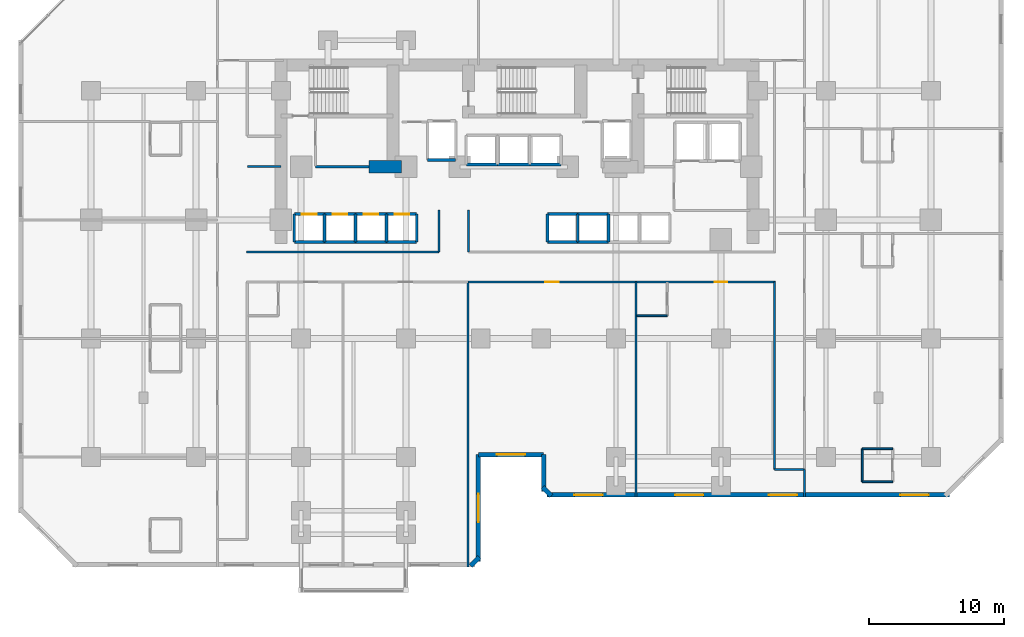
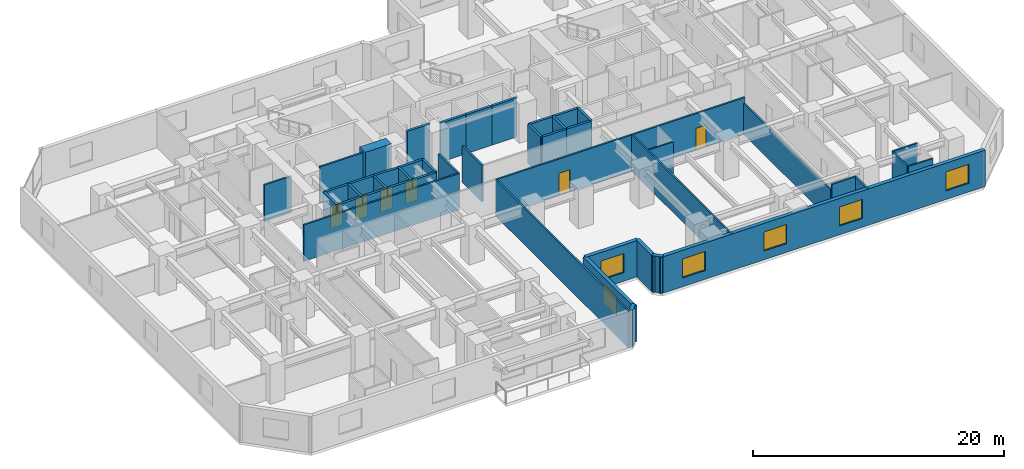
# One storey, part 6 of 11: 46 walls, 6 doors, 6 windows, 12 openings.
"""IFC4 building model written with IfcOpenShell, lengths in metres."""

from ifc_helpers import new_model, si_unit, direction, frame, frame_2d, origin, place, context, subcontext, project, spatial, rectangle, extrude, material, layer, layer_set, type_object, element, fill, save


model = new_model("IFC4")

# Units and contexts
model_context = context("Model", 3, precision=1e-05, world=origin(), true_north=direction((0.0, 1.0)))
body_context = subcontext(model_context, "Body", "Model", "MODEL_VIEW")
ifc_project = project(units=[si_unit("LENGTHUNIT", "METRE"), si_unit("AREAUNIT", "SQUARE_METRE"), si_unit("VOLUMEUNIT", "CUBIC_METRE"), si_unit("PLANEANGLEUNIT", "RADIAN"), si_unit("MASSUNIT", "GRAM", prefix="KILO")], contexts=[model_context])

# Site, building, storey
site_placement = place(None, origin())
site = spatial("IfcSite", under=ifc_project, at=site_placement, CompositionType="ELEMENT")
building_placement = place(site_placement, origin())
building = spatial("IfcBuilding", under=site, at=building_placement, Name="Kestravale Grand Hotel", CompositionType="ELEMENT")
storey_placement = place(building_placement, frame((0.0, 0.0, 29.800048828125)))
storey = spatial("IfcBuildingStorey", under=building, at=storey_placement, Name="L06", CompositionType="ELEMENT", Elevation=29.800048828125)

# Walls
ifc_material_1 = material(Name="Concrete f'c 70 MPa", Category="concrete")
ifc_layer_1 = layer(ifc_material_1, 0.89990234375)
ifc_layer_set_1 = layer_set([ifc_layer_1], Name="EW-CORE-900")
wall_type_1 = type_object("IfcWallType", Name="EW-CORE-900", PredefinedType="SHEAR", material=ifc_layer_set_1)
wall_1_placement = place(storey_placement, frame((28.449951171875, 32.75, 0.0), z_axis=(0.0, 0.0, 1.0), x_axis=(1.0, 0.0, 0.0)))
element("IfcWall", 1, at=wall_1_placement, inside=storey, type_object=wall_type_1, Name="L06 core shear wall S1", PredefinedType="SHEAR", context=body_context, shape_type="SweptSolid", body=[
    extrude(rectangle(XDim=2.400146484375, YDim=0.89990234375, at=frame_2d((1.2001953125, 0.0))), origin(), (0.0, 0.0, 1.0), 3.800048828125),
])
ifc_material_2 = material(Name="Precast concrete f'c 45 MPa", Category="concrete")
ifc_layer_2 = layer(ifc_material_2, 0.340087890625)
ifc_layer_set_2 = layer_set([ifc_layer_2], Name="EW-PREC-340")
wall_type_2 = type_object("IfcWallType", Name="EW-PREC-340", PredefinedType="SOLIDWALL", material=ifc_layer_set_2)
wall_2_placement = place(storey_placement, frame((36.00146484375, 3.091796875, 0.0), z_axis=(0.0, 0.0, 1.0), x_axis=(0.707106781187, 0.707106781187, 0.0)))
element("IfcWall", 2, at=wall_2_placement, inside=storey, type_object=wall_type_2, Name="L06 fluted precast facade wall 2", PredefinedType="SOLIDWALL", context=body_context, shape_type="SweptSolid", body=[
    extrude(rectangle(XDim=0.9287109375, YDim=0.340087890625, at=frame_2d((0.46435546875, 0.0))), origin(), (0.0, 0.0, 1.0), 3.5400390625),
])

# Wall, opening, window
wall_3_placement = place(storey_placement, frame((36.580078125, 3.429931640625, 0.0), z_axis=(0.0, 0.0, 1.0), x_axis=(0.0, 1.0, 0.0)))
wall_3 = element("IfcWall", 3, at=wall_3_placement, inside=storey, type_object=wall_type_2, Name="L06 fluted precast facade wall 3", PredefinedType="SOLIDWALL", context=body_context, shape_type="SweptSolid", body=[
    extrude(rectangle(XDim=7.940185546875, YDim=0.340087890625, at=frame_2d((3.97021484375, 0.0))), origin(), (0.0, 0.0, 1.0), 3.5400390625),
])
opening_1_placement = place(wall_3_placement, frame((2.919921875, 0.0, 0.85009765625)))
opening_1 = element("IfcOpeningElement", 4, at=opening_1_placement, cuts=wall_3, Name="Opening W-GUEST-2100", PredefinedType="OPENING", context=body_context, shape_type="SweptSolid", body=[
    extrude(rectangle(XDim=2.10009765625, YDim=1.85009765625, at=frame_2d((1.050048828125, 0.925048828125))), frame((0.0, 0.179931640625, 0.0), z_axis=(0.0, -1.0, 0.0), x_axis=(1.0, 0.0, 0.0)), (0.0, 0.0, 1.0), 0.360107421875),
])
ifc_material_3 = material(Name="Insulated low-E double glazing in aluminium frame", Category="aluminium")
window_type = type_object("IfcWindowType", Name="W-GUEST-2100", PartitioningType="DOUBLE_PANEL_VERTICAL", PredefinedType="WINDOW", material=ifc_material_3)
window_1_placement = place(opening_1_placement, origin())
window_1 = element("IfcWindow", 5, at=window_1_placement, inside=storey, type_object=window_type, Name="L06 exterior window 3.1", OverallHeight=1.85009765625, OverallWidth=2.10009765625, PartitioningType="SINGLE_PANEL", PredefinedType="WINDOW", context=body_context, shape_type="SweptSolid", body=[
    extrude(rectangle(XDim=2.10009765625, YDim=1.85009765625, at=frame_2d((1.050048828125, 0.925048828125))), frame((0.0, 0.030029296875, 0.0), z_axis=(0.0, -1.0, 0.0), x_axis=(1.0, 0.0, 0.0)), (0.0, 0.0, 1.0), 0.06005859375),
])
fill(opening_1, window_1)

wall_4_placement = place(storey_placement, frame((36.580078125, 11.3701171875, 0.0), z_axis=(0.0, 0.0, 1.0), x_axis=(1.0, 0.0, 0.0)))
wall_4 = element("IfcWall", 6, at=wall_4_placement, inside=storey, type_object=wall_type_2, Name="L06 fluted precast facade wall 4", PredefinedType="SOLIDWALL", context=body_context, shape_type="SweptSolid", body=[
    extrude(rectangle(XDim=4.83984375, YDim=0.340087890625, at=frame_2d((2.419921875, 0.0))), origin(), (0.0, 0.0, 1.0), 3.5400390625),
])
opening_2_placement = place(wall_4_placement, frame((1.3701171875, 0.0, 0.85009765625)))
opening_2 = element("IfcOpeningElement", 7, at=opening_2_placement, cuts=wall_4, Name="Opening W-GUEST-2100", PredefinedType="OPENING", context=body_context, shape_type="SweptSolid", body=[
    extrude(rectangle(XDim=2.10009765625, YDim=1.85009765625, at=frame_2d((1.050048828125, 0.925048828125))), frame((0.0, 0.179931640625, 0.0), z_axis=(0.0, -1.0, 0.0), x_axis=(1.0, 0.0, 0.0)), (0.0, 0.0, 1.0), 0.360107421875),
])
window_2_placement = place(opening_2_placement, origin())
window_2 = element("IfcWindow", 8, at=window_2_placement, inside=storey, type_object=window_type, Name="L06 exterior window 4.1", OverallHeight=1.85009765625, OverallWidth=2.10009765625, PartitioningType="SINGLE_PANEL", PredefinedType="WINDOW", context=body_context, shape_type="SweptSolid", body=[
    extrude(rectangle(XDim=2.10009765625, YDim=1.85009765625, at=frame_2d((1.050048828125, 0.925048828125))), frame((0.0, 0.030029296875, 0.0), z_axis=(0.0, -1.0, 0.0), x_axis=(1.0, 0.0, 0.0)), (0.0, 0.0, 1.0), 0.06005859375),
])
fill(opening_2, window_2)

# Walls
wall_5_placement = place(storey_placement, frame((41.419921875, 11.3701171875, 0.0), z_axis=(0.0, 0.0, 1.0), x_axis=(0.0, -1.0, 0.0)))
element("IfcWall", 9, at=wall_5_placement, inside=storey, type_object=wall_type_2, Name="L06 fluted precast facade wall 5", PredefinedType="SOLIDWALL", context=body_context, shape_type="SweptSolid", body=[
    extrude(rectangle(XDim=2.740234375, YDim=0.340087890625, at=frame_2d((1.3701171875, 0.0))), origin(), (0.0, 0.0, 1.0), 3.5400390625),
])
wall_6_placement = place(storey_placement, frame((41.341796875, 8.948486328125, 0.0), z_axis=(0.0, 0.0, 1.0), x_axis=(0.707238225886, -0.706975312048, 0.0)))
element("IfcWall", 10, at=wall_6_placement, inside=storey, type_object=wall_type_2, Name="L06 fluted precast facade wall 6", PredefinedType="SOLIDWALL", context=body_context, shape_type="SweptSolid", body=[
    extrude(rectangle(XDim=0.9287109375, YDim=0.340087890625, at=frame_2d((0.46435546875, 0.0))), origin(), (0.0, 0.0, 1.0), 3.5400390625),
])

# Wall, openings, windows
wall_7_placement = place(storey_placement, frame((41.679931640625, 8.3701171875, 0.0), z_axis=(0.0, 0.0, 1.0), x_axis=(1.0, 0.0, 0.0)))
wall_7 = element("IfcWall", 11, at=wall_7_placement, inside=storey, type_object=wall_type_2, Name="L06 fluted precast facade wall 7", PredefinedType="SOLIDWALL", context=body_context, shape_type="SweptSolid", body=[
    extrude(rectangle(XDim=29.89013671875, YDim=0.340087890625, at=frame_2d((14.945068359375, 0.0))), origin(), (0.0, 0.0, 1.0), 3.5400390625),
])
opening_3_placement = place(wall_7_placement, frame((2.0361328125, 0.0, 0.85009765625)))
opening_3 = element("IfcOpeningElement", 12, at=opening_3_placement, cuts=wall_7, Name="Opening W-GUEST-2100", PredefinedType="OPENING", context=body_context, shape_type="SweptSolid", body=[
    extrude(rectangle(XDim=2.10009765625, YDim=1.85009765625, at=frame_2d((1.050048828125, 0.925048828125))), frame((0.0, 0.179931640625, 0.0), z_axis=(0.0, -1.0, 0.0), x_axis=(1.0, 0.0, 0.0)), (0.0, 0.0, 1.0), 0.360107421875),
])
opening_4_placement = place(wall_7_placement, frame((9.5087890625, 0.0, 0.85009765625)))
opening_4 = element("IfcOpeningElement", 13, at=opening_4_placement, cuts=wall_7, Name="Opening W-GUEST-2100", PredefinedType="OPENING", context=body_context, shape_type="SweptSolid", body=[
    extrude(rectangle(XDim=2.10009765625, YDim=1.85009765625, at=frame_2d((1.050048828125, 0.925048828125))), frame((0.0, 0.179931640625, 0.0), z_axis=(0.0, -1.0, 0.0), x_axis=(1.0, 0.0, 0.0)), (0.0, 0.0, 1.0), 0.360107421875),
])
opening_5_placement = place(wall_7_placement, frame((16.481201171875, 0.0, 0.85009765625)))
opening_5 = element("IfcOpeningElement", 14, at=opening_5_placement, cuts=wall_7, Name="Opening W-GUEST-2100", PredefinedType="OPENING", context=body_context, shape_type="SweptSolid", body=[
    extrude(rectangle(XDim=2.10009765625, YDim=1.85009765625, at=frame_2d((1.050048828125, 0.925048828125))), frame((0.0, 0.179931640625, 0.0), z_axis=(0.0, -1.0, 0.0), x_axis=(1.0, 0.0, 0.0)), (0.0, 0.0, 1.0), 0.360107421875),
])
opening_6_placement = place(wall_7_placement, frame((26.253662109375, 0.0, 0.85009765625)))
opening_6 = element("IfcOpeningElement", 15, at=opening_6_placement, cuts=wall_7, Name="Opening W-GUEST-2100", PredefinedType="OPENING", context=body_context, shape_type="SweptSolid", body=[
    extrude(rectangle(XDim=2.10009765625, YDim=1.85009765625, at=frame_2d((1.050048828125, 0.925048828125))), frame((0.0, 0.179931640625, 0.0), z_axis=(0.0, -1.0, 0.0), x_axis=(1.0, 0.0, 0.0)), (0.0, 0.0, 1.0), 0.360107421875),
])
window_3_placement = place(opening_3_placement, origin())
window_3 = element("IfcWindow", 16, at=window_3_placement, inside=storey, type_object=window_type, Name="L06 exterior window 7.1", OverallHeight=1.85009765625, OverallWidth=2.10009765625, PartitioningType="SINGLE_PANEL", PredefinedType="WINDOW", context=body_context, shape_type="SweptSolid", body=[
    extrude(rectangle(XDim=2.10009765625, YDim=1.85009765625, at=frame_2d((1.050048828125, 0.925048828125))), frame((0.0, 0.030029296875, 0.0), z_axis=(0.0, -1.0, 0.0), x_axis=(1.0, 0.0, 0.0)), (0.0, 0.0, 1.0), 0.06005859375),
])
fill(opening_3, window_3)
window_4_placement = place(opening_4_placement, origin())
window_4 = element("IfcWindow", 17, at=window_4_placement, inside=storey, type_object=window_type, Name="L06 exterior window 7.2", OverallHeight=1.85009765625, OverallWidth=2.10009765625, PartitioningType="SINGLE_PANEL", PredefinedType="WINDOW", context=body_context, shape_type="SweptSolid", body=[
    extrude(rectangle(XDim=2.10009765625, YDim=1.85009765625, at=frame_2d((1.050048828125, 0.925048828125))), frame((0.0, 0.030029296875, 0.0), z_axis=(0.0, -1.0, 0.0), x_axis=(1.0, 0.0, 0.0)), (0.0, 0.0, 1.0), 0.06005859375),
])
fill(opening_4, window_4)
window_5_placement = place(opening_5_placement, origin())
window_5 = element("IfcWindow", 18, at=window_5_placement, inside=storey, type_object=window_type, Name="L06 exterior window 7.3", OverallHeight=1.85009765625, OverallWidth=2.10009765625, PartitioningType="SINGLE_PANEL", PredefinedType="WINDOW", context=body_context, shape_type="SweptSolid", body=[
    extrude(rectangle(XDim=2.10009765625, YDim=1.85009765625, at=frame_2d((1.050048828125, 0.925048828125))), frame((0.0, 0.030029296875, 0.0), z_axis=(0.0, -1.0, 0.0), x_axis=(1.0, 0.0, 0.0)), (0.0, 0.0, 1.0), 0.06005859375),
])
fill(opening_5, window_5)
window_6_placement = place(opening_6_placement, origin())
window_6 = element("IfcWindow", 19, at=window_6_placement, inside=storey, type_object=window_type, Name="L06 exterior window 7.4", OverallHeight=1.85009765625, OverallWidth=2.10009765625, PartitioningType="SINGLE_PANEL", PredefinedType="WINDOW", context=body_context, shape_type="SweptSolid", body=[
    extrude(rectangle(XDim=2.10009765625, YDim=1.85009765625, at=frame_2d((1.050048828125, 0.925048828125))), frame((0.0, 0.030029296875, 0.0), z_axis=(0.0, -1.0, 0.0), x_axis=(1.0, 0.0, 0.0)), (0.0, 0.0, 1.0), 0.06005859375),
])
fill(opening_6, window_6)

# Walls
ifc_material_4 = material(Name="Acoustic fire-rated gypsum board partition", Category="other")
ifc_layer_3 = layer(ifc_material_4, 0.159912109375)
ifc_layer_set_3 = layer_set([ifc_layer_3], Name="IW-CORR-160")
wall_type_3 = type_object("IfcWallType", Name="IW-CORR-160", PredefinedType="PARTITIONING", material=ifc_layer_set_3)
wall_8_placement = place(storey_placement, frame((24.47998046875, 32.75, 0.0), z_axis=(0.0, 0.0, 1.0), x_axis=(1.0, 0.0, 0.0)))
element("IfcWall", 20, at=wall_8_placement, inside=storey, type_object=wall_type_3, Name="W-L06-CWS", PredefinedType="PARTITIONING", context=body_context, shape_type="SweptSolid", body=[
    extrude(rectangle(XDim=3.969970703125, YDim=0.159912109375, at=frame_2d((1.98486328125, 0.0))), origin(), (0.0, 0.0, 1.0), 3.5400390625),
])
wall_9_placement = place(storey_placement, frame((19.35009765625, 26.409912109375, 0.0), z_axis=(0.0, 0.0, 1.0), x_axis=(1.0, 0.0, 0.0)))
element("IfcWall", 21, at=wall_9_placement, inside=storey, type_object=wall_type_3, Name="W-L06-CW-N", PredefinedType="PARTITIONING", context=body_context, shape_type="SweptSolid", body=[
    extrude(rectangle(XDim=14.2998046875, YDim=0.159912109375, at=frame_2d((7.14990234375, 0.0))), origin(), (0.0, 0.0, 1.0), 3.5400390625),
])
for number, where, z_axis, x_axis, name in (
    (22, (33.64990234375, 26.409912109375, 0.0), (0.0, 0.0, 1.0), (0.0, 1.0, 0.0), "W-L06-TRUNK-W"),
    (23, (35.85009765625, 26.409912109375, 0.0), (0.0, 0.0, 1.0), (0.0, 1.0, 0.0), "W-L06-TRUNK-E"),
):
    element("IfcWall", number, at=place(storey_placement, frame(where, z_axis=z_axis, x_axis=x_axis)), inside=storey, type_object=wall_type_3, Name=name, PredefinedType="PARTITIONING", context=body_context, shape_type="SweptSolid", body=[
        extrude(rectangle(XDim=3.14013671875, YDim=0.159912109375, at=frame_2d((1.570068359375, 0.0))), origin(), (0.0, 0.0, 1.0), 3.5400390625),
    ])

# Wall, openings, doors
wall_10_placement = place(storey_placement, frame((35.800048828125, 24.18994140625, 0.0), z_axis=(0.0, 0.0, 1.0), x_axis=(1.0, 0.0, 0.0)))
wall_10 = element("IfcWall", 24, at=wall_10_placement, inside=storey, type_object=wall_type_3, Name="W-L06-CE-S", PredefinedType="PARTITIONING", context=body_context, shape_type="SweptSolid", body=[
    extrude(rectangle(XDim=22.849853515625, YDim=0.159912109375, at=frame_2d((11.4248046875, 0.0))), origin(), (0.0, 0.0, 1.0), 3.5400390625),
])
opening_7_placement = place(wall_10_placement, frame((5.74755859375, 0.0, 0.0)))
opening_7 = element("IfcOpeningElement", 25, at=opening_7_placement, cuts=wall_10, Name="Opening D-GUEST-1000", PredefinedType="OPENING", context=body_context, shape_type="SweptSolid", body=[
    extrude(rectangle(XDim=1.0, YDim=2.14990234375, at=frame_2d((0.5, 1.074951171875))), frame((0.0, 0.08984375, 0.0), z_axis=(0.0, -1.0, 0.0), x_axis=(1.0, 0.0, 0.0)), (0.0, 0.0, 1.0), 0.179931640625),
])
opening_8_placement = place(wall_10_placement, frame((18.322509765625, 0.0, 0.0)))
opening_8 = element("IfcOpeningElement", 26, at=opening_8_placement, cuts=wall_10, Name="Opening D-GUEST-950", PredefinedType="OPENING", context=body_context, shape_type="SweptSolid", body=[
    extrude(rectangle(XDim=0.949951171875, YDim=2.10009765625, at=frame_2d((0.47509765625, 1.050048828125))), frame((0.0, 0.08984375, 0.0), z_axis=(0.0, -1.0, 0.0), x_axis=(1.0, 0.0, 0.0)), (0.0, 0.0, 1.0), 0.179931640625),
])
ifc_material_5 = material(Name="Accessible walnut veneer hotel entrance fire door", Category="wood")
door_type_1 = type_object("IfcDoorType", Name="D-GUEST-1000", OperationType="NOTDEFINED", PredefinedType="DOOR", material=ifc_material_5)
door_1_placement = place(opening_7_placement, origin())
door_1 = element("IfcDoor", 27, at=door_1_placement, inside=storey, type_object=door_type_1, Name="D-L06-AME", OperationType="SINGLE_SWING_LEFT", OverallHeight=2.14990234375, OverallWidth=1.0, PredefinedType="DOOR", context=body_context, shape_type="SweptSolid", body=[
    extrude(rectangle(XDim=1.0, YDim=2.14990234375, at=frame_2d((0.5, 1.074951171875))), frame((0.0, 0.02490234375, 0.0), z_axis=(0.0, -1.0, 0.0), x_axis=(1.0, 0.0, 0.0)), (0.0, 0.0, 1.0), 0.050048828125),
])
fill(opening_7, door_1)
ifc_material_6 = material(Name="Walnut veneer hotel guestroom entrance fire door", Category="wood")
door_type_2 = type_object("IfcDoorType", Name="D-GUEST-950", OperationType="NOTDEFINED", PredefinedType="DOOR", material=ifc_material_6)
door_2_placement = place(opening_8_placement, origin())
door_2 = element("IfcDoor", 28, at=door_2_placement, inside=storey, type_object=door_type_2, Name="D-L06-U02-ENT", OperationType="SINGLE_SWING_LEFT", OverallHeight=2.10009765625, OverallWidth=0.949951171875, PredefinedType="DOOR", context=body_context, shape_type="SweptSolid", body=[
    extrude(rectangle(XDim=0.949951171875, YDim=2.10009765625, at=frame_2d((0.47509765625, 1.050048828125))), frame((0.0, 0.02490234375, 0.0), z_axis=(0.0, -1.0, 0.0), x_axis=(1.0, 0.0, 0.0)), (0.0, 0.0, 1.0), 0.050048828125),
])
fill(opening_8, door_2)

# Walls
wall_11_placement = place(storey_placement, frame((19.409912109375, 32.780029296875, 0.0), z_axis=(0.0, 0.0, 1.0), x_axis=(1.0, 0.0, 0.0)))
element("IfcWall", 29, at=wall_11_placement, inside=storey, type_object=wall_type_3, Name="W-L06-SW-CS", PredefinedType="PARTITIONING", context=body_context, shape_type="SweptSolid", body=[
    extrude(rectangle(XDim=2.489990234375, YDim=0.159912109375, at=frame_2d((1.2451171875, 0.0))), origin(), (0.0, 0.0, 1.0), 3.5400390625),
])
wall_12_placement = place(storey_placement, frame((58.590087890625, 10.25, 0.0), z_axis=(0.0, 0.0, 1.0), x_axis=(0.0, 1.0, 0.0)))
element("IfcWall", 30, at=wall_12_placement, inside=storey, type_object=wall_type_3, Name="W-L06-SE-W", PredefinedType="PARTITIONING", context=body_context, shape_type="SweptSolid", body=[
    extrude(rectangle(XDim=13.93994140625, YDim=0.159912109375, at=frame_2d((6.969970703125, 0.0))), origin(), (0.0, 0.0, 1.0), 3.00390625),
])
ifc_material_7 = material(Name="Moisture-resistant tile-backer plumbing chase wall", Category="other")
ifc_layer_4 = layer(ifc_material_7, 0.139892578125)
ifc_layer_set_4 = layer_set([ifc_layer_4], Name="IW-PLB-140")
wall_type_4 = type_object("IfcWallType", Name="IW-PLB-140", PredefinedType="PLUMBINGWALL", material=ifc_layer_set_4)
wall_13_placement = place(storey_placement, frame((48.35498046875, 21.679931640625, 0.0), z_axis=(0.0, 0.0, 1.0), x_axis=(1.0, 0.0, 0.0)))
element("IfcWall", 31, at=wall_13_placement, inside=storey, type_object=wall_type_4, Name="W-L06-U02-BS", PredefinedType="PLUMBINGWALL", context=body_context, shape_type="SweptSolid", body=[
    extrude(rectangle(XDim=2.25, YDim=0.139892578125, at=frame_2d((1.125, 0.0))), origin(), (0.0, 0.0, 1.0), 3.5400390625),
])
wall_14_placement = place(storey_placement, frame((65.10009765625, 9.35009765625, 0.0), z_axis=(0.0, 0.0, 1.0), x_axis=(0.0, 1.0, 0.0)))
element("IfcWall", 32, at=wall_14_placement, inside=storey, type_object=wall_type_4, Name="W-L06-U07-BW", PredefinedType="PLUMBINGWALL", context=body_context, shape_type="SweptSolid", body=[
    extrude(rectangle(XDim=2.449951171875, YDim=0.139892578125, at=frame_2d((1.22509765625, 0.0))), origin(), (0.0, 0.0, 1.0), 3.5400390625),
])
for number, where, z_axis, x_axis, name in (
    (33, (65.10009765625, 9.35009765625, 0.0), (0.0, 0.0, 1.0), (1.0, 0.0, 0.0), "W-L06-U07-BS"),
    (34, (65.10009765625, 11.800048828125, 0.0), (0.0, 0.0, 1.0), (1.0, 0.0, 0.0), "W-L06-U07-BN"),
):
    element("IfcWall", number, at=place(storey_placement, frame(where, z_axis=z_axis, x_axis=x_axis)), inside=storey, type_object=wall_type_4, Name=name, PredefinedType="PLUMBINGWALL", context=body_context, shape_type="SweptSolid", body=[
        extrude(rectangle(XDim=2.25, YDim=0.139892578125, at=frame_2d((1.125, 0.0))), origin(), (0.0, 0.0, 1.0), 3.5400390625),
    ])
ifc_material_8 = material(Name="Concrete f'c 45 MPa", Category="concrete")
ifc_layer_5 = layer(ifc_material_8, 0.199951171875)
ifc_layer_set_5 = layer_set([ifc_layer_5], Name="IW-SHAFT-200")
wall_type_5 = type_object("IfcWallType", Name="IW-SHAFT-200", PredefinedType="SHEAR", material=ifc_layer_set_5)
for number, where, z_axis, x_axis, name in (
    (35, (22.905029296875, 27.169921875, 0.0), (0.0, 0.0, 1.0), (0.0, 1.0, 0.0), "L06 PL-L1 west shaft wall"),
    (36, (25.14990234375, 27.169921875, 0.0), (0.0, 0.0, 1.0), (0.0, 1.0, 0.0), "L06 PL-L2 west shaft wall"),
    (37, (27.449951171875, 27.169921875, 0.0), (0.0, 0.0, 1.0), (0.0, 1.0, 0.0), "L06 PL-L3 west shaft wall"),
    (38, (29.75, 27.169921875, 0.0), (0.0, 0.0, 1.0), (0.0, 1.0, 0.0), "L06 PL-L4 west shaft wall"),
    (39, (31.9951171875, 27.169921875, 0.0), (0.0, 0.0, 1.0), (0.0, 1.0, 0.0), "L06 PL-L4 east shaft wall"),
    (40, (41.705078125, 27.169921875, 0.0), (0.0, 0.0, 1.0), (0.0, 1.0, 0.0), "L06 PL-M1 west shaft wall"),
    (41, (43.949951171875, 27.169921875, 0.0), (0.0, 0.0, 1.0), (0.0, 1.0, 0.0), "L06 PL-M2 west shaft wall"),
    (42, (46.25, 27.169921875, 0.0), (0.0, 0.0, 1.0), (0.0, 1.0, 0.0), "L06 PL-M3 west shaft wall"),
):
    element("IfcWall", number, at=place(storey_placement, frame(where, z_axis=z_axis, x_axis=x_axis)), inside=storey, type_object=wall_type_5, Name=name, PredefinedType="SHEAR", context=body_context, shape_type="SweptSolid", body=[
        extrude(rectangle(XDim=2.06005859375, YDim=0.199951171875, at=frame_2d((1.030029296875, 0.0))), origin(), (0.0, 0.0, 1.0), 3.800048828125),
    ])

# Wall, opening, door
ifc_material_9 = material(Name="Concrete f'c 45 MPa", Category="concrete")
ifc_layer_6 = layer(ifc_material_9, 0.219970703125)
ifc_layer_set_6 = layer_set([ifc_layer_6], Name="IW-SHAFT-220")
wall_type_6 = type_object("IfcWallType", Name="IW-SHAFT-220", PredefinedType="SHEAR", material=ifc_layer_set_6)
wall_15_placement = place(storey_placement, frame((22.905029296875, 29.22998046875, 0.0), z_axis=(0.0, 0.0, 1.0), x_axis=(1.0, 0.0, 0.0)))
wall_15 = element("IfcWall", 43, at=wall_15_placement, inside=storey, type_object=wall_type_6, Name="L06 PL-L1 north shaft wall", PredefinedType="SHEAR", context=body_context, shape_type="SweptSolid", body=[
    extrude(rectangle(XDim=2.244873046875, YDim=0.219970703125, at=frame_2d((1.12255859375, 0.0))), origin(), (0.0, 0.0, 1.0), 3.800048828125),
])
opening_9_placement = place(wall_15_placement, frame((0.544921875, 0.0, 0.0)))
opening_9 = element("IfcOpeningElement", 44, at=opening_9_placement, cuts=wall_15, Name="Opening LD-PAX-1100", PredefinedType="OPENING", context=body_context, shape_type="SweptSolid", body=[
    extrude(rectangle(XDim=1.10009765625, YDim=2.14990234375, at=frame_2d((0.550048828125, 1.074951171875))), frame((0.0, 0.119873046875, 0.0), z_axis=(0.0, -1.0, 0.0), x_axis=(1.0, 0.0, 0.0)), (0.0, 0.0, 1.0), 0.239990234375),
])
ifc_material_10 = material(Name="Champagne-bronze center-opening sliding elevator landing door", Category="steel")
door_type_3 = type_object("IfcDoorType", Name="LD-PAX-1100", OperationType="NOTDEFINED", PredefinedType="DOOR", material=ifc_material_10)
door_3_placement = place(opening_9_placement, origin())
door_3 = element("IfcDoor", 45, at=door_3_placement, inside=storey, type_object=door_type_3, Name="L06 PL-L1 elevator landing sliding door", OperationType="DOUBLE_DOOR_SLIDING", OverallHeight=2.14990234375, OverallWidth=1.10009765625, PredefinedType="DOOR", context=body_context, shape_type="SweptSolid", body=[
    extrude(rectangle(XDim=1.10009765625, YDim=2.14990234375, at=frame_2d((0.550048828125, 1.074951171875))), frame((0.0, 0.02490234375, 0.0), z_axis=(0.0, -1.0, 0.0), x_axis=(1.0, 0.0, 0.0)), (0.0, 0.0, 1.0), 0.050048828125),
])
fill(opening_9, door_3)

# Wall
wall_16_placement = place(storey_placement, frame((22.905029296875, 27.169921875, 0.0), z_axis=(0.0, 0.0, 1.0), x_axis=(1.0, 0.0, 0.0)))
element("IfcWall", 46, at=wall_16_placement, inside=storey, type_object=wall_type_6, Name="L06 PL-L1 south shaft wall", PredefinedType="SHEAR", context=body_context, shape_type="SweptSolid", body=[
    extrude(rectangle(XDim=2.244873046875, YDim=0.219970703125, at=frame_2d((1.12255859375, 0.0))), origin(), (0.0, 0.0, 1.0), 3.800048828125),
])

# Wall, opening, door
wall_17_placement = place(storey_placement, frame((25.14990234375, 29.22998046875, 0.0), z_axis=(0.0, 0.0, 1.0), x_axis=(1.0, 0.0, 0.0)))
wall_17 = element("IfcWall", 47, at=wall_17_placement, inside=storey, type_object=wall_type_6, Name="L06 PL-L2 north shaft wall", PredefinedType="SHEAR", context=body_context, shape_type="SweptSolid", body=[
    extrude(rectangle(XDim=2.300048828125, YDim=0.219970703125, at=frame_2d((1.14990234375, 0.0))), origin(), (0.0, 0.0, 1.0), 3.800048828125),
])
opening_10_placement = place(wall_17_placement, frame((0.60009765625, 0.0, 0.0)))
opening_10 = element("IfcOpeningElement", 48, at=opening_10_placement, cuts=wall_17, Name="Opening LD-PAX-1100", PredefinedType="OPENING", context=body_context, shape_type="SweptSolid", body=[
    extrude(rectangle(XDim=1.10009765625, YDim=2.14990234375, at=frame_2d((0.550048828125, 1.074951171875))), frame((0.0, 0.119873046875, 0.0), z_axis=(0.0, -1.0, 0.0), x_axis=(1.0, 0.0, 0.0)), (0.0, 0.0, 1.0), 0.239990234375),
])
door_4_placement = place(opening_10_placement, origin())
door_4 = element("IfcDoor", 49, at=door_4_placement, inside=storey, type_object=door_type_3, Name="L06 PL-L2 elevator landing sliding door", OperationType="DOUBLE_DOOR_SLIDING", OverallHeight=2.14990234375, OverallWidth=1.10009765625, PredefinedType="DOOR", context=body_context, shape_type="SweptSolid", body=[
    extrude(rectangle(XDim=1.10009765625, YDim=2.14990234375, at=frame_2d((0.550048828125, 1.074951171875))), frame((0.0, 0.02490234375, 0.0), z_axis=(0.0, -1.0, 0.0), x_axis=(1.0, 0.0, 0.0)), (0.0, 0.0, 1.0), 0.050048828125),
])
fill(opening_10, door_4)

# Wall
wall_18_placement = place(storey_placement, frame((25.14990234375, 27.169921875, 0.0), z_axis=(0.0, 0.0, 1.0), x_axis=(1.0, 0.0, 0.0)))
element("IfcWall", 50, at=wall_18_placement, inside=storey, type_object=wall_type_6, Name="L06 PL-L2 south shaft wall", PredefinedType="SHEAR", context=body_context, shape_type="SweptSolid", body=[
    extrude(rectangle(XDim=2.300048828125, YDim=0.219970703125, at=frame_2d((1.14990234375, 0.0))), origin(), (0.0, 0.0, 1.0), 3.800048828125),
])

# Wall, opening, door
wall_19_placement = place(storey_placement, frame((27.449951171875, 29.22998046875, 0.0), z_axis=(0.0, 0.0, 1.0), x_axis=(1.0, 0.0, 0.0)))
wall_19 = element("IfcWall", 51, at=wall_19_placement, inside=storey, type_object=wall_type_6, Name="L06 PL-L3 north shaft wall", PredefinedType="SHEAR", context=body_context, shape_type="SweptSolid", body=[
    extrude(rectangle(XDim=2.300048828125, YDim=0.219970703125, at=frame_2d((1.14990234375, 0.0))), origin(), (0.0, 0.0, 1.0), 3.800048828125),
])
opening_11_placement = place(wall_19_placement, frame((0.60009765625, 0.0, 0.0)))
opening_11 = element("IfcOpeningElement", 52, at=opening_11_placement, cuts=wall_19, Name="Opening LD-PAX-1100", PredefinedType="OPENING", context=body_context, shape_type="SweptSolid", body=[
    extrude(rectangle(XDim=1.10009765625, YDim=2.14990234375, at=frame_2d((0.550048828125, 1.074951171875))), frame((0.0, 0.119873046875, 0.0), z_axis=(0.0, -1.0, 0.0), x_axis=(1.0, 0.0, 0.0)), (0.0, 0.0, 1.0), 0.239990234375),
])
door_5_placement = place(opening_11_placement, origin())
door_5 = element("IfcDoor", 53, at=door_5_placement, inside=storey, type_object=door_type_3, Name="L06 PL-L3 elevator landing sliding door", OperationType="DOUBLE_DOOR_SLIDING", OverallHeight=2.14990234375, OverallWidth=1.10009765625, PredefinedType="DOOR", context=body_context, shape_type="SweptSolid", body=[
    extrude(rectangle(XDim=1.10009765625, YDim=2.14990234375, at=frame_2d((0.550048828125, 1.074951171875))), frame((0.0, 0.02490234375, 0.0), z_axis=(0.0, -1.0, 0.0), x_axis=(1.0, 0.0, 0.0)), (0.0, 0.0, 1.0), 0.050048828125),
])
fill(opening_11, door_5)

# Wall
wall_20_placement = place(storey_placement, frame((27.449951171875, 27.169921875, 0.0), z_axis=(0.0, 0.0, 1.0), x_axis=(1.0, 0.0, 0.0)))
element("IfcWall", 54, at=wall_20_placement, inside=storey, type_object=wall_type_6, Name="L06 PL-L3 south shaft wall", PredefinedType="SHEAR", context=body_context, shape_type="SweptSolid", body=[
    extrude(rectangle(XDim=2.300048828125, YDim=0.219970703125, at=frame_2d((1.14990234375, 0.0))), origin(), (0.0, 0.0, 1.0), 3.800048828125),
])

# Wall, opening, door
wall_21_placement = place(storey_placement, frame((29.75, 29.22998046875, 0.0), z_axis=(0.0, 0.0, 1.0), x_axis=(1.0, 0.0, 0.0)))
wall_21 = element("IfcWall", 55, at=wall_21_placement, inside=storey, type_object=wall_type_6, Name="L06 PL-L4 north shaft wall", PredefinedType="SHEAR", context=body_context, shape_type="SweptSolid", body=[
    extrude(rectangle(XDim=2.2451171875, YDim=0.219970703125, at=frame_2d((1.12255859375, 0.0))), origin(), (0.0, 0.0, 1.0), 3.800048828125),
])
opening_12_placement = place(wall_21_placement, frame((0.60009765625, 0.0, 0.0)))
opening_12 = element("IfcOpeningElement", 56, at=opening_12_placement, cuts=wall_21, Name="Opening LD-PAX-1100", PredefinedType="OPENING", context=body_context, shape_type="SweptSolid", body=[
    extrude(rectangle(XDim=1.10009765625, YDim=2.14990234375, at=frame_2d((0.550048828125, 1.074951171875))), frame((0.0, 0.119873046875, 0.0), z_axis=(0.0, -1.0, 0.0), x_axis=(1.0, 0.0, 0.0)), (0.0, 0.0, 1.0), 0.239990234375),
])
door_6_placement = place(opening_12_placement, origin())
door_6 = element("IfcDoor", 57, at=door_6_placement, inside=storey, type_object=door_type_3, Name="L06 PL-L4 elevator landing sliding door", OperationType="DOUBLE_DOOR_SLIDING", OverallHeight=2.14990234375, OverallWidth=1.10009765625, PredefinedType="DOOR", context=body_context, shape_type="SweptSolid", body=[
    extrude(rectangle(XDim=1.10009765625, YDim=2.14990234375, at=frame_2d((0.550048828125, 1.074951171875))), frame((0.0, 0.02490234375, 0.0), z_axis=(0.0, -1.0, 0.0), x_axis=(1.0, 0.0, 0.0)), (0.0, 0.0, 1.0), 0.050048828125),
])
fill(opening_12, door_6)

# Walls
wall_22_placement = place(storey_placement, frame((29.75, 27.169921875, 0.0), z_axis=(0.0, 0.0, 1.0), x_axis=(1.0, 0.0, 0.0)))
element("IfcWall", 58, at=wall_22_placement, inside=storey, type_object=wall_type_6, Name="L06 PL-L4 south shaft wall", PredefinedType="SHEAR", context=body_context, shape_type="SweptSolid", body=[
    extrude(rectangle(XDim=2.2451171875, YDim=0.219970703125, at=frame_2d((1.12255859375, 0.0))), origin(), (0.0, 0.0, 1.0), 3.800048828125),
])
for number, where, z_axis, x_axis, name in (
    (59, (41.705078125, 29.22998046875, 0.0), (0.0, 0.0, 1.0), (1.0, 0.0, 0.0), "L06 PL-M1 north shaft wall"),
    (60, (41.705078125, 27.169921875, 0.0), (0.0, 0.0, 1.0), (1.0, 0.0, 0.0), "L06 PL-M1 south shaft wall"),
):
    element("IfcWall", number, at=place(storey_placement, frame(where, z_axis=z_axis, x_axis=x_axis)), inside=storey, type_object=wall_type_6, Name=name, PredefinedType="SHEAR", context=body_context, shape_type="SweptSolid", body=[
        extrude(rectangle(XDim=2.244873046875, YDim=0.219970703125, at=frame_2d((1.12255859375, 0.0))), origin(), (0.0, 0.0, 1.0), 3.800048828125),
    ])
for number, where, z_axis, x_axis, name in (
    (61, (43.949951171875, 29.22998046875, 0.0), (0.0, 0.0, 1.0), (1.0, 0.0, 0.0), "L06 PL-M2 north shaft wall"),
    (62, (43.949951171875, 27.169921875, 0.0), (0.0, 0.0, 1.0), (1.0, 0.0, 0.0), "L06 PL-M2 south shaft wall"),
):
    element("IfcWall", number, at=place(storey_placement, frame(where, z_axis=z_axis, x_axis=x_axis)), inside=storey, type_object=wall_type_6, Name=name, PredefinedType="SHEAR", context=body_context, shape_type="SweptSolid", body=[
        extrude(rectangle(XDim=2.300048828125, YDim=0.219970703125, at=frame_2d((1.14990234375, 0.0))), origin(), (0.0, 0.0, 1.0), 3.800048828125),
    ])
wall_23_placement = place(storey_placement, frame((35.679931640625, 32.919921875, 0.0), z_axis=(0.0, 0.0, 1.0), x_axis=(1.0, 0.0, 0.0)))
element("IfcWall", 63, at=wall_23_placement, inside=storey, type_object=wall_type_6, Name="L06 PL-X1 south shaft wall", PredefinedType="SHEAR", context=body_context, shape_type="SweptSolid", body=[
    extrude(rectangle(XDim=2.320068359375, YDim=0.219970703125, at=frame_2d((1.16015625, 0.0))), origin(), (0.0, 0.0, 1.0), 3.800048828125),
])
wall_24_placement = place(storey_placement, frame((38.0, 32.919921875, 0.0), z_axis=(0.0, 0.0, 1.0), x_axis=(1.0, 0.0, 0.0)))
element("IfcWall", 64, at=wall_24_placement, inside=storey, type_object=wall_type_6, Name="L06 PL-X2 south shaft wall", PredefinedType="SHEAR", context=body_context, shape_type="SweptSolid", body=[
    extrude(rectangle(XDim=2.39990234375, YDim=0.219970703125, at=frame_2d((1.199951171875, 0.0))), origin(), (0.0, 0.0, 1.0), 3.800048828125),
])
wall_25_placement = place(storey_placement, frame((40.39990234375, 32.919921875, 0.0), z_axis=(0.0, 0.0, 1.0), x_axis=(1.0, 0.0, 0.0)))
element("IfcWall", 65, at=wall_25_placement, inside=storey, type_object=wall_type_6, Name="L06 PL-X3 south shaft wall", PredefinedType="SHEAR", context=body_context, shape_type="SweptSolid", body=[
    extrude(rectangle(XDim=2.320068359375, YDim=0.219970703125, at=frame_2d((1.16015625, 0.0))), origin(), (0.0, 0.0, 1.0), 3.800048828125),
])
wall_26_placement = place(storey_placement, frame((32.804931640625, 33.2451171875, 0.0), z_axis=(0.0, 0.0, 1.0), x_axis=(1.0, 0.0, 0.0)))
element("IfcWall", 66, at=wall_26_placement, inside=storey, type_object=wall_type_6, Name="L06 FL-1 south shaft wall", PredefinedType="SHEAR", context=body_context, shape_type="SweptSolid", body=[
    extrude(rectangle(XDim=2.090087890625, YDim=0.219970703125, at=frame_2d((1.044921875, 0.0))), origin(), (0.0, 0.0, 1.0), 3.800048828125),
])
ifc_material_11 = material(Name="Double-stud STC 52 acoustic demising partition", Category="other")
ifc_layer_7 = layer(ifc_material_11, 0.14990234375)
ifc_layer_set_7 = layer_set([ifc_layer_7], Name="IW-UNIT-150")
wall_type_7 = type_object("IfcWallType", Name="IW-UNIT-150", PredefinedType="PARTITIONING", material=ifc_layer_set_7)
wall_27_placement = place(storey_placement, frame((58.590087890625, 10.25, 0.0), z_axis=(0.0, 0.0, 1.0), x_axis=(1.0, 0.0, 0.0)))
element("IfcWall", 67, at=wall_27_placement, inside=storey, type_object=wall_type_7, Name="W-L06-SE-S", PredefinedType="PARTITIONING", context=body_context, shape_type="SweptSolid", body=[
    extrude(rectangle(XDim=2.219970703125, YDim=0.14990234375, at=frame_2d((1.10986328125, 0.0))), origin(), (0.0, 0.0, 1.0), 3.5400390625),
])
wall_28_placement = place(storey_placement, frame((35.800048828125, 3.02001953125, 0.0), z_axis=(0.0, 0.0, 1.0), x_axis=(0.0, 1.0, 0.0)))
element("IfcWall", 68, at=wall_28_placement, inside=storey, type_object=wall_type_7, Name="W-L06-MID-S", PredefinedType="PARTITIONING", context=body_context, shape_type="SweptSolid", body=[
    extrude(rectangle(XDim=21.14990234375, YDim=0.14990234375, at=frame_2d((10.574951171875, 0.0))), origin(), (0.0, 0.0, 1.0), 3.5400390625),
])
wall_29_placement = place(storey_placement, frame((48.294921875, 8.219970703125, 0.0), z_axis=(0.0, 0.0, 1.0), x_axis=(0.0, 1.0, 0.0)))
element("IfcWall", 69, at=wall_29_placement, inside=storey, type_object=wall_type_7, Name="W-L06-ES-1", PredefinedType="PARTITIONING", context=body_context, shape_type="SweptSolid", body=[
    extrude(rectangle(XDim=15.969970703125, YDim=0.14990234375, at=frame_2d((7.98486328125, 0.0))), origin(), (0.0, 0.0, 1.0), 3.5400390625),
])
wall_30_placement = place(storey_placement, frame((60.81005859375, 8.219970703125, 0.0), z_axis=(0.0, 0.0, 1.0), x_axis=(0.0, 1.0, 0.0)))
element("IfcWall", 70, at=wall_30_placement, inside=storey, type_object=wall_type_7, Name="W-L06-SE-EXT", PredefinedType="PARTITIONING", context=body_context, shape_type="SweptSolid", body=[
    extrude(rectangle(XDim=2.030029296875, YDim=0.14990234375, at=frame_2d((1.01513671875, 0.0))), origin(), (0.0, 0.0, 1.0), 3.5400390625),
])

save(model, "model.ifc")
